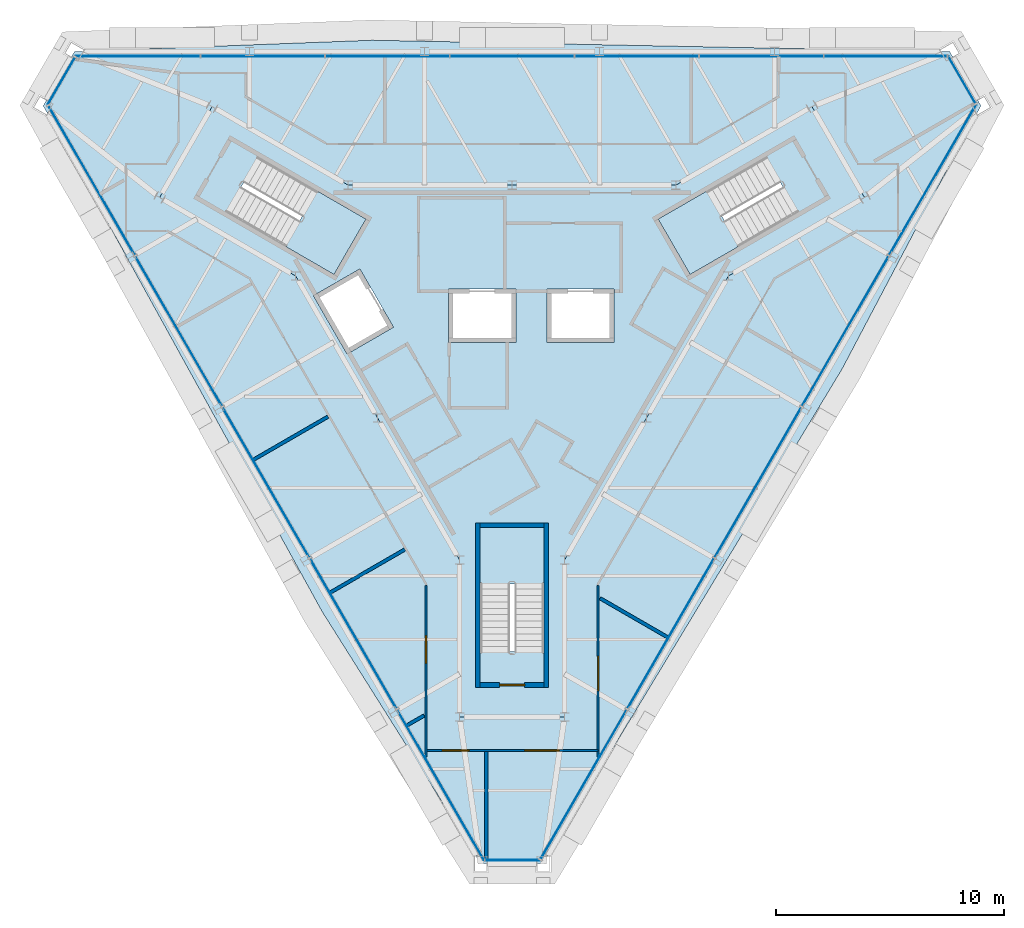
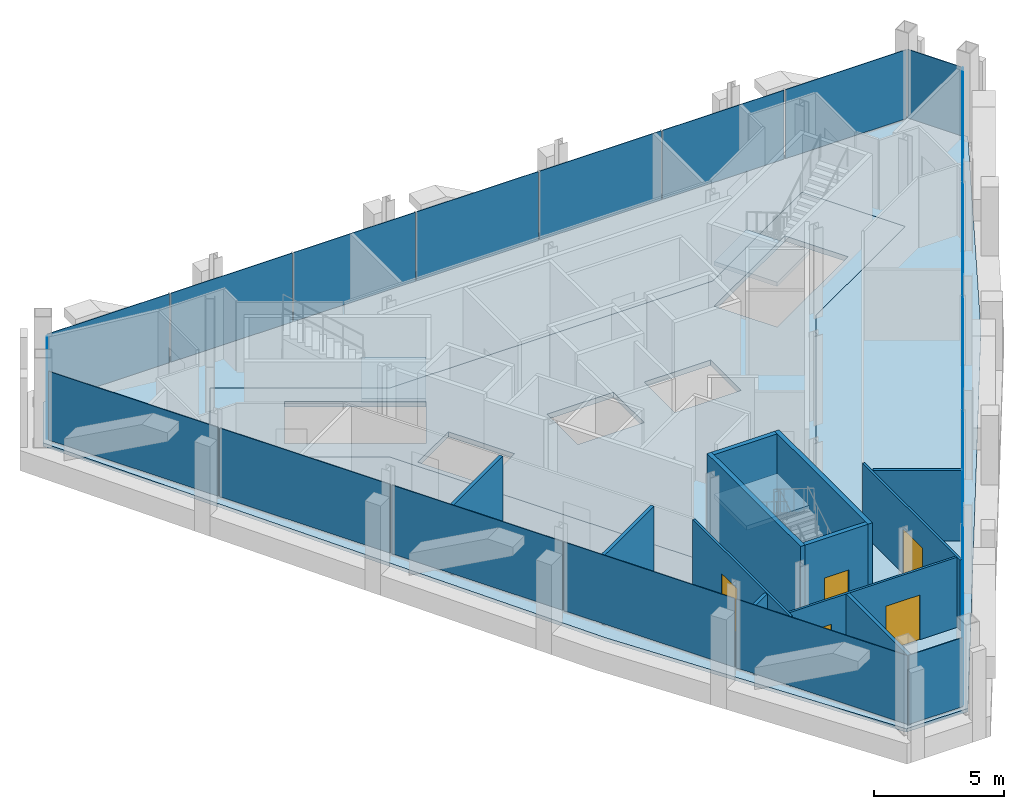
# One storey, part 8 of 13: 20 plates, 12 walls, 5 doors, 5 slabs, 5 openings, 9 elements without a shape of their own.
"""IFC4 building model written with IfcOpenShell, lengths in metres."""

from ifc_helpers import new_model, si_unit, direction, frame, frame_2d, origin, origin_2d, place, context, subcontext, project, spatial, polyline, rectangle, outline, extrude, material, layer, layer_set, type_object, element, fill, aggregate, save


model = new_model("IFC4")

# Units and contexts
model_context = context("Model", 3, precision=1e-05, world=origin(), true_north=direction((0.0, 1.0)))
body_context = subcontext(model_context, "Body", "Model", "MODEL_VIEW")
ifc_project = project(units=[si_unit("LENGTHUNIT", "METRE"), si_unit("AREAUNIT", "SQUARE_METRE"), si_unit("VOLUMEUNIT", "CUBIC_METRE"), si_unit("PLANEANGLEUNIT", "RADIAN"), si_unit("MASSUNIT", "GRAM", prefix="KILO")], contexts=[model_context])

# Site, building, storey
site_placement = place(None, origin())
site = spatial("IfcSite", under=ifc_project, at=site_placement, CompositionType="ELEMENT")
building_placement = place(site_placement, origin())
building = spatial("IfcBuilding", under=site, at=building_placement, Name="Verrane Prism Tower", CompositionType="ELEMENT")
storey_placement = place(building_placement, frame((0.0, 0.0, 325.199951171875)))
storey = spatial("IfcBuildingStorey", under=building, at=storey_placement, Name="L82", CompositionType="ELEMENT", Elevation=325.199951171875)

# Slabs
ifc_material_1 = material(Name="Concrete C35/45", Category="concrete")
ifc_layer_1 = layer(ifc_material_1, 0.159912109375)
ifc_layer_set_1 = layer_set([ifc_layer_1], Name="Composite floor slab")
slab_type_1 = type_object("IfcSlabType", Name="Composite floor slab", PredefinedType="FLOOR", material=ifc_layer_set_1)
slab_1_placement = place(storey_placement, frame((0.0, 0.0, -0.159912109375)))
element("IfcSlab", 1, at=slab_1_placement, inside=storey, type_object=slab_type_1, Name="Floor slab L82", PredefinedType="FLOOR", context=body_context, shape_type="SweptSolid", body=[
    extrude(outline(polyline([(14.455810546875, -1.26171875), (1.368896484375, -22.9287109375), (-1.368896484375, -22.9287109375), (-8.320556640625, -11.88818359375), (-20.54150390625, 10.27880859375), (-19.17236328125, 12.64990234375), (-6.13525390625, 13.14990234375), (19.17236328125, 12.64990234375), (20.54150390625, 10.27880859375), (14.455810546875, -1.26171875)]), holes=[polyline([(15.43994140625, 6.260009765625), (13.139892578125, 10.239990234375), (7.179931640625, 6.800048828125), (0.0, 6.800048828125), (-7.179931640625, 6.800048828125), (-13.139892578125, 10.239990234375), (-15.43994140625, 6.260009765625), (-9.47998046875, 2.820068359375), (-5.889892578125, -3.39990234375), (-2.300048828125, -9.6201171875), (-2.300048828125, -16.5), (2.300048828125, -16.5), (2.300048828125, -9.6201171875), (5.889892578125, -3.39990234375), (9.47998046875, 2.820068359375), (15.43994140625, 6.260009765625)])]), origin(), (0.0, 0.0, 1.0), 0.159912109375),
])
ifc_material_2 = material(Name="Concrete C40/50", Category="concrete")
ifc_layer_2 = layer(ifc_material_2, 0.25)
ifc_layer_set_2 = layer_set([ifc_layer_2], Name="Core floor slab 250 concrete C40/50")
slab_type_2 = type_object("IfcSlabType", Name="Core floor slab 250 concrete C40/50", PredefinedType="FLOOR", material=ifc_layer_set_2)
slab_2_placement = place(storey_placement, frame((0.0, 0.0, -0.25)))
element("IfcSlab", 2, at=slab_2_placement, inside=storey, type_object=slab_type_2, Name="Core floor L82", PredefinedType="FLOOR", context=body_context, shape_type="SweptSolid", body=[
    extrude(outline(polyline([(9.47998046875, 2.820068359375), (15.43994140625, 6.260009765625), (13.139892578125, 10.239990234375), (7.179931640625, 6.800048828125), (0.0, 6.800048828125), (-7.179931640625, 6.800048828125), (-13.139892578125, 10.239990234375), (-15.43994140625, 6.260009765625), (-9.47998046875, 2.820068359375), (-5.889892578125, -3.39990234375), (-2.300048828125, -9.6201171875), (-2.300048828125, -16.5), (2.300048828125, -16.5), (2.300048828125, -9.6201171875), (5.889892578125, -3.39990234375), (9.47998046875, 2.820068359375)]), holes=[polyline([(-1.39990234375, -13.639892578125), (-1.39990234375, -8.199951171875), (1.39990234375, -8.199951171875), (1.39990234375, -13.639892578125), (-1.39990234375, -13.639892578125)]), polyline([(0.1650390625, 2.25), (0.1650390625, -0.10009765625), (-2.784912109375, -0.10009765625), (-2.784912109375, 2.25), (0.1650390625, 2.25)]), polyline([(4.47509765625, 2.25), (4.47509765625, -0.10009765625), (1.52490234375, -0.10009765625), (1.52490234375, 2.25), (4.47509765625, 2.25)]), polyline([(-8.7041015625, 1.955078125), (-6.66796875, 3.1298828125), (-5.193115234375, 0.574951171875), (-7.22900390625, -0.60009765625), (-8.7041015625, 1.955078125)]), polyline([(-6.40087890625, 5.31201171875), (-7.801025390625, 2.887939453125), (-12.512939453125, 5.60791015625), (-11.113037109375, 8.031982421875), (-6.40087890625, 5.31201171875)]), polyline([(7.801025390625, 2.887939453125), (6.40087890625, 5.31201171875), (11.113037109375, 8.031982421875), (12.512939453125, 5.60791015625), (7.801025390625, 2.887939453125)])]), origin(), (0.0, 0.0, 1.0), 0.25),
])

# Curtain wall, plate
ifc_material_3 = material(Name="Aluminium framed insulated glazing", Category="aluminium")
curtain_wall_type_1 = type_object("IfcCurtainWallType", Name="Curtain wall CW-C 4200 module", PredefinedType="NOTDEFINED", material=ifc_material_3)
curtain_wall_1_placement = place(storey_placement, origin())
curtain_wall_1 = element("IfcCurtainWall", 3, at=curtain_wall_1_placement, inside=storey, type_object=curtain_wall_type_1, Name="Glazed curtain wall south corner L82", PredefinedType="NOTDEFINED")
ifc_material_4 = material(Name="Low-iron insulating glass unit", Category="glass")
ifc_layer_3 = layer(ifc_material_4, 0.02392578125)
ifc_layer_set_3 = layer_set([ifc_layer_3], Name="Glazing panel IGU 24")
plate_type_1 = type_object("IfcPlateType", Name="Glazing panel IGU 24", PredefinedType="CURTAIN_PANEL", material=ifc_layer_set_3)
plate_1_placement = place(storey_placement, frame((0.02490234375, -22.77685546875, 0.050048828125), z_axis=(0.0, 0.0, 1.0), x_axis=(1.0, 0.0, 0.0)))
plate_1 = element("IfcPlate", 4, at=plate_1_placement, type_object=plate_type_1, Name="CW82.5 panel 1", PredefinedType="CURTAIN_PANEL", context=body_context, shape_type="SweptSolid", body=[
    extrude(rectangle(XDim=2.395263671875, YDim=0.02392578125, at=origin_2d()), origin(), (0.0, 0.0, 1.0), 3.24658203125),
])
aggregate(curtain_wall_1, [plate_1])

# Curtain wall, plates
ifc_material_5 = material(Name="Aluminium framed insulated glazing", Category="aluminium")
curtain_wall_type_2 = type_object("IfcCurtainWallType", Name="Curtain wall CW-B 5600 module", PredefinedType="NOTDEFINED", material=ifc_material_5)
curtain_wall_2_placement = place(storey_placement, origin())
curtain_wall_2 = element("IfcCurtainWall", 5, at=curtain_wall_2_placement, inside=storey, type_object=curtain_wall_type_2, Name="Glazed curtain wall north face L82", PredefinedType="NOTDEFINED")
ifc_material_6 = material(Name="Low-iron insulating glass unit", Category="glass")
ifc_layer_4 = layer(ifc_material_6, 0.028076171875)
ifc_layer_set_4 = layer_set([ifc_layer_4], Name="Glazing panel IGU 28")
plate_type_2 = type_object("IfcPlateType", Name="Glazing panel IGU 28", PredefinedType="CURTAIN_PANEL", material=ifc_layer_set_4)
plate_2_placement = place(storey_placement, frame((16.368408203125, 12.447265625, 0.06005859375), z_axis=(0.0, 0.0, 1.0), x_axis=(-1.0, 0.0, 0.0)))
plate_2 = element("IfcPlate", 6, at=plate_2_placement, type_object=plate_type_2, Name="CW82.2 panel 1", PredefinedType="CURTAIN_PANEL", context=body_context, shape_type="SweptSolid", body=[
    extrude(rectangle(XDim=5.37109375, YDim=0.028076171875, at=origin_2d()), origin(), (0.0, 0.0, 1.0), 3.23681640625),
])
plate_3_placement = place(storey_placement, frame((10.92236328125, 12.447265625, 0.06005859375), z_axis=(0.0, 0.0, 1.0), x_axis=(-1.0, 0.0, 0.0)))
plate_3 = element("IfcPlate", 7, at=plate_3_placement, type_object=plate_type_2, Name="CW82.2 panel 2", PredefinedType="CURTAIN_PANEL", context=body_context, shape_type="SweptSolid", body=[
    extrude(rectangle(XDim=5.401123046875, YDim=0.028076171875, at=origin_2d()), origin(), (0.0, 0.0, 1.0), 3.23681640625),
])
plate_4_placement = place(storey_placement, frame((5.461181640625, 12.447265625, 0.06005859375), z_axis=(0.0, 0.0, 1.0), x_axis=(-1.0, 0.0, 0.0)))
plate_4 = element("IfcPlate", 8, at=plate_4_placement, type_object=plate_type_2, Name="CW82.2 panel 3", PredefinedType="CURTAIN_PANEL", context=body_context, shape_type="SweptSolid", body=[
    extrude(rectangle(XDim=5.401123046875, YDim=0.028076171875, at=origin_2d()), origin(), (0.0, 0.0, 1.0), 3.23681640625),
])
plate_5_placement = place(storey_placement, frame((0.0, 12.447265625, 0.06005859375), z_axis=(0.0, 0.0, 1.0), x_axis=(-1.0, 0.0, 0.0)))
plate_5 = element("IfcPlate", 9, at=plate_5_placement, type_object=plate_type_2, Name="CW82.2 panel 4", PredefinedType="CURTAIN_PANEL", context=body_context, shape_type="SweptSolid", body=[
    extrude(rectangle(XDim=5.401123046875, YDim=0.028076171875, at=origin_2d()), origin(), (0.0, 0.0, 1.0), 3.23681640625),
])
plate_6_placement = place(storey_placement, frame((-5.461181640625, 12.447265625, 0.06005859375), z_axis=(0.0, 0.0, 1.0), x_axis=(-1.0, 0.0, 0.0)))
plate_6 = element("IfcPlate", 10, at=plate_6_placement, type_object=plate_type_2, Name="CW82.2 panel 5", PredefinedType="CURTAIN_PANEL", context=body_context, shape_type="SweptSolid", body=[
    extrude(rectangle(XDim=5.401123046875, YDim=0.028076171875, at=origin_2d()), origin(), (0.0, 0.0, 1.0), 3.23681640625),
])
plate_7_placement = place(storey_placement, frame((-10.92236328125, 12.447265625, 0.06005859375), z_axis=(0.0, 0.0, 1.0), x_axis=(-1.0, 0.0, 0.0)))
plate_7 = element("IfcPlate", 11, at=plate_7_placement, type_object=plate_type_2, Name="CW82.2 panel 6", PredefinedType="CURTAIN_PANEL", context=body_context, shape_type="SweptSolid", body=[
    extrude(rectangle(XDim=5.401123046875, YDim=0.028076171875, at=origin_2d()), origin(), (0.0, 0.0, 1.0), 3.23681640625),
])
plate_8_placement = place(storey_placement, frame((-16.3984375, 12.447265625, 0.06005859375), z_axis=(0.0, 0.0, 1.0), x_axis=(-1.0, 0.0, 0.0)))
plate_8 = element("IfcPlate", 12, at=plate_8_placement, type_object=plate_type_2, Name="CW82.2 panel 7", PredefinedType="CURTAIN_PANEL", context=body_context, shape_type="SweptSolid", body=[
    extrude(rectangle(XDim=5.43115234375, YDim=0.028076171875, at=origin_2d()), origin(), (0.0, 0.0, 1.0), 3.23681640625),
])
aggregate(curtain_wall_2, [plate_2, plate_3, plate_4, plate_5, plate_6, plate_7, plate_8])

# Curtain wall, plate
ifc_material_7 = material(Name="Aluminium framed insulated glazing", Category="aluminium")
curtain_wall_type_3 = type_object("IfcCurtainWallType", Name="Curtain wall CW-A 8400 module", PredefinedType="NOTDEFINED", material=ifc_material_7)
curtain_wall_3_placement = place(storey_placement, origin())
curtain_wall_3 = element("IfcCurtainWall", 13, at=curtain_wall_3_placement, inside=storey, type_object=curtain_wall_type_3, Name="Glazed curtain wall north-east corner L82", PredefinedType="NOTDEFINED")
ifc_material_8 = material(Name="Low-iron insulating glass unit", Category="glass")
ifc_layer_5 = layer(ifc_material_8, 0.031982421875)
ifc_layer_set_5 = layer_set([ifc_layer_5], Name="Glazing panel IGU 32")
plate_type_3 = type_object("IfcPlateType", Name="Glazing panel IGU 32", PredefinedType="CURTAIN_PANEL", material=ifc_layer_set_5)
plate_9_placement = place(storey_placement, frame((19.707763671875, 11.418701171875, 0.06982421875), z_axis=(0.0, 0.0, 1.0), x_axis=(-0.500000941634, 0.866024860131, 0.0)))
plate_9 = element("IfcPlate", 14, at=plate_9_placement, type_object=plate_type_3, Name="CW82.1 panel 1", PredefinedType="CURTAIN_PANEL", context=body_context, shape_type="SweptSolid", body=[
    extrude(rectangle(XDim=2.375244140625, YDim=0.031982421875, at=origin_2d()), origin(), (0.0, 0.0, 1.0), 3.226806640625),
])
aggregate(curtain_wall_3, [plate_9])

curtain_wall_4_placement = place(storey_placement, origin())
curtain_wall_4 = element("IfcCurtainWall", 15, at=curtain_wall_4_placement, inside=storey, type_object=curtain_wall_type_3, Name="Glazed curtain wall north-west corner L82", PredefinedType="NOTDEFINED")
plate_10_placement = place(storey_placement, frame((-19.742919921875, 11.358154296875, 0.06982421875), z_axis=(0.0, 0.0, 1.0), x_axis=(-0.500000941634, -0.866024860131, 0.0)))
plate_10 = element("IfcPlate", 16, at=plate_10_placement, type_object=plate_type_3, Name="CW82.3 panel 1", PredefinedType="CURTAIN_PANEL", context=body_context, shape_type="SweptSolid", body=[
    extrude(rectangle(XDim=2.375244140625, YDim=0.031982421875, at=origin_2d()), origin(), (0.0, 0.0, 1.0), 3.226806640625),
])
aggregate(curtain_wall_4, [plate_10])

# Curtain wall, plates
curtain_wall_5_placement = place(storey_placement, origin())
curtain_wall_5 = element("IfcCurtainWall", 17, at=curtain_wall_5_placement, inside=storey, type_object=curtain_wall_type_3, Name="Glazed curtain wall south-west face L82", PredefinedType="NOTDEFINED")
plate_11_placement = place(storey_placement, frame((-18.41650390625, 7.00390625, 0.06982421875), z_axis=(0.0, 0.0, 1.0), x_axis=(0.500000216749, -0.866025278644, 0.0)))
plate_11 = element("IfcPlate", 18, at=plate_11_placement, type_object=plate_type_3, Name="CW82.4 panel 1", PredefinedType="CURTAIN_PANEL", context=body_context, shape_type="SweptSolid", body=[
    extrude(rectangle(XDim=7.54052734375, YDim=0.031982421875, at=origin_2d()), origin(), (0.0, 0.0, 1.0), 3.226806640625),
])
plate_12_placement = place(storey_placement, frame((-14.602294921875, 0.397705078125, 0.06982421875), z_axis=(0.0, 0.0, 1.0), x_axis=(0.500000216749, -0.866025278644, 0.0)))
plate_12 = element("IfcPlate", 19, at=plate_12_placement, type_object=plate_type_3, Name="CW82.4 panel 2", PredefinedType="CURTAIN_PANEL", context=body_context, shape_type="SweptSolid", body=[
    extrude(rectangle(XDim=7.57568359375, YDim=0.031982421875, at=origin_2d()), origin(), (0.0, 0.0, 1.0), 3.226806640625),
])
plate_13_placement = place(storey_placement, frame((-10.779541015625, -6.2236328125, 0.06982421875), z_axis=(0.0, 0.0, 1.0), x_axis=(0.500000216749, -0.866025278644, 0.0)))
plate_13 = element("IfcPlate", 20, at=plate_13_placement, type_object=plate_type_3, Name="CW82.4 panel 3", PredefinedType="CURTAIN_PANEL", context=body_context, shape_type="SweptSolid", body=[
    extrude(rectangle(XDim=7.57568359375, YDim=0.031982421875, at=origin_2d()), origin(), (0.0, 0.0, 1.0), 3.226806640625),
])
plate_14_placement = place(storey_placement, frame((-6.956787109375, -12.844970703125, 0.06982421875), z_axis=(0.0, 0.0, 1.0), x_axis=(0.500000216749, -0.866025278644, 0.0)))
plate_14 = element("IfcPlate", 21, at=plate_14_placement, type_object=plate_type_3, Name="CW82.4 panel 4", PredefinedType="CURTAIN_PANEL", context=body_context, shape_type="SweptSolid", body=[
    extrude(rectangle(XDim=7.57568359375, YDim=0.031982421875, at=origin_2d()), origin(), (0.0, 0.0, 1.0), 3.226806640625),
])
plate_15_placement = place(storey_placement, frame((-3.125244140625, -19.481201171875, 0.06982421875), z_axis=(0.0, 0.0, 1.0), x_axis=(0.500000216749, -0.866025278644, 0.0)))
plate_15 = element("IfcPlate", 22, at=plate_15_placement, type_object=plate_type_3, Name="CW82.4 panel 5", PredefinedType="CURTAIN_PANEL", context=body_context, shape_type="SweptSolid", body=[
    extrude(rectangle(XDim=7.610595703125, YDim=0.031982421875, at=origin_2d()), origin(), (0.0, 0.0, 1.0), 3.226806640625),
])
aggregate(curtain_wall_5, [plate_11, plate_12, plate_13, plate_14, plate_15])

curtain_wall_6_placement = place(storey_placement, origin())
curtain_wall_6 = element("IfcCurtainWall", 23, at=curtain_wall_6_placement, inside=storey, type_object=curtain_wall_type_3, Name="Glazed curtain wall south-east face L82", PredefinedType="NOTDEFINED")
plate_16_placement = place(storey_placement, frame((3.142822265625, -19.450927734375, 0.06982421875), z_axis=(0.0, 0.0, 1.0), x_axis=(0.500000216749, 0.866025278644, 0.0)))
plate_16 = element("IfcPlate", 24, at=plate_16_placement, type_object=plate_type_3, Name="CW82.6 panel 1", PredefinedType="CURTAIN_PANEL", context=body_context, shape_type="SweptSolid", body=[
    extrude(rectangle(XDim=7.54052734375, YDim=0.031982421875, at=origin_2d()), origin(), (0.0, 0.0, 1.0), 3.226806640625),
])
plate_17_placement = place(storey_placement, frame((6.956787109375, -12.844970703125, 0.06982421875), z_axis=(0.0, 0.0, 1.0), x_axis=(0.500000216749, 0.866025278644, 0.0)))
plate_17 = element("IfcPlate", 25, at=plate_17_placement, type_object=plate_type_3, Name="CW82.6 panel 2", PredefinedType="CURTAIN_PANEL", context=body_context, shape_type="SweptSolid", body=[
    extrude(rectangle(XDim=7.57568359375, YDim=0.031982421875, at=origin_2d()), origin(), (0.0, 0.0, 1.0), 3.226806640625),
])
plate_18_placement = place(storey_placement, frame((10.779541015625, -6.2236328125, 0.06982421875), z_axis=(0.0, 0.0, 1.0), x_axis=(0.500000216749, 0.866025278644, 0.0)))
plate_18 = element("IfcPlate", 26, at=plate_18_placement, type_object=plate_type_3, Name="CW82.6 panel 3", PredefinedType="CURTAIN_PANEL", context=body_context, shape_type="SweptSolid", body=[
    extrude(rectangle(XDim=7.57568359375, YDim=0.031982421875, at=origin_2d()), origin(), (0.0, 0.0, 1.0), 3.226806640625),
])
plate_19_placement = place(storey_placement, frame((14.602294921875, 0.397705078125, 0.06982421875), z_axis=(0.0, 0.0, 1.0), x_axis=(0.500000216749, 0.866025278644, 0.0)))
plate_19 = element("IfcPlate", 27, at=plate_19_placement, type_object=plate_type_3, Name="CW82.6 panel 4", PredefinedType="CURTAIN_PANEL", context=body_context, shape_type="SweptSolid", body=[
    extrude(rectangle(XDim=7.57568359375, YDim=0.031982421875, at=origin_2d()), origin(), (0.0, 0.0, 1.0), 3.226806640625),
])
plate_20_placement = place(storey_placement, frame((18.433837890625, 7.0341796875, 0.06982421875), z_axis=(0.0, 0.0, 1.0), x_axis=(0.500000216749, 0.866025278644, 0.0)))
plate_20 = element("IfcPlate", 28, at=plate_20_placement, type_object=plate_type_3, Name="CW82.6 panel 5", PredefinedType="CURTAIN_PANEL", context=body_context, shape_type="SweptSolid", body=[
    extrude(rectangle(XDim=7.610595703125, YDim=0.031982421875, at=origin_2d()), origin(), (0.0, 0.0, 1.0), 3.226806640625),
])
aggregate(curtain_wall_6, [plate_16, plate_17, plate_18, plate_19, plate_20])

# Stair, slab
ifc_material_9 = material(Name="Concrete C40/50", Category="concrete")
stair_type = type_object("IfcStairType", Name="Exit stair 1300 dog-leg precast concrete C40/50", PredefinedType="HALF_TURN_STAIR", material=ifc_material_9)
stair_1_placement = place(storey_placement, origin())
stair_1 = element("IfcStair", 29, at=stair_1_placement, inside=storey, type_object=stair_type, Name="Stair 1 L82", PredefinedType="HALF_TURN_STAIR")
ifc_material_10 = material(Name="Concrete C40/50", Category="concrete")
ifc_layer_6 = layer(ifc_material_10, 0.199951171875)
ifc_layer_set_6 = layer_set([ifc_layer_6], Name="Stair landing 200 precast concrete C40/50")
slab_type_3 = type_object("IfcSlabType", Name="Stair landing 200 precast concrete C40/50", PredefinedType="LANDING", material=ifc_layer_set_6)
slab_3_placement = place(storey_placement, frame((0.0, 0.0, 1.900146484375)))
slab_3 = element("IfcSlab", 30, at=slab_3_placement, type_object=slab_type_3, Name="Stair 1 landing 1", PredefinedType="LANDING", context=body_context, shape_type="SweptSolid", body=[
    extrude(outline(polyline([(8.549072265625, 6.552490234375), (6.4013671875, 5.3125), (7.801513671875, 2.887451171875), (9.94921875, 4.127685546875), (8.549072265625, 6.552490234375)])), origin(), (0.0, 0.0, 1.0), 0.199951171875),
])
aggregate(stair_1, [slab_3])

stair_2_placement = place(storey_placement, origin())
stair_2 = element("IfcStair", 31, at=stair_2_placement, inside=storey, type_object=stair_type, Name="Stair 2 L82", PredefinedType="HALF_TURN_STAIR")
slab_4_placement = place(storey_placement, frame((0.0, 0.0, 1.900146484375)))
slab_4 = element("IfcSlab", 32, at=slab_4_placement, type_object=slab_type_3, Name="Stair 2 landing 1", PredefinedType="LANDING", context=body_context, shape_type="SweptSolid", body=[
    extrude(outline(polyline([(-9.94921875, 4.127685546875), (-7.801513671875, 2.887451171875), (-6.4013671875, 5.3125), (-8.549072265625, 6.552490234375), (-9.94921875, 4.127685546875)])), origin(), (0.0, 0.0, 1.0), 0.199951171875),
])
aggregate(stair_2, [slab_4])

stair_3_placement = place(storey_placement, origin())
stair_3 = element("IfcStair", 33, at=stair_3_placement, inside=storey, type_object=stair_type, Name="Stair 3 L82", PredefinedType="HALF_TURN_STAIR")
slab_5_placement = place(storey_placement, frame((0.0, 0.0, 1.900146484375)))
slab_5 = element("IfcSlab", 34, at=slab_5_placement, type_object=slab_type_3, Name="Stair 3 landing 1", PredefinedType="LANDING", context=body_context, shape_type="SweptSolid", body=[
    extrude(outline(polyline([(1.39990234375, -10.679931640625), (1.39990234375, -8.199951171875), (-1.39990234375, -8.199951171875), (-1.39990234375, -10.679931640625), (1.39990234375, -10.679931640625)])), origin(), (0.0, 0.0, 1.0), 0.199951171875),
])
aggregate(stair_3, [slab_5])

# Wall, opening, door
ifc_material_11 = material(Name="Concrete C40/50", Category="concrete")
ifc_layer_7 = layer(ifc_material_11, 0.199951171875)
ifc_layer_set_7 = layer_set([ifc_layer_7], Name="CW-200 stair core wall concrete C40/50 3 h")
wall_type_1 = type_object("IfcWallType", Name="CW-200 stair core wall concrete C40/50 3 h", PredefinedType="PARTITIONING", material=ifc_layer_set_7)
wall_1_placement = place(storey_placement, frame((-1.39990234375, -15.10009765625, 0.0), z_axis=(0.0, 0.0, 1.0), x_axis=(1.0, 0.0, 0.0)))
wall_1 = element("IfcWall", 35, at=wall_1_placement, inside=storey, type_object=wall_type_1, Name="Stair 3 enclosure wall", PredefinedType="PARTITIONING", context=body_context, shape_type="SweptSolid", body=[
    extrude(rectangle(XDim=2.7998046875, YDim=0.199951171875, at=frame_2d((1.39990234375, 0.0))), origin(), (0.0, 0.0, 1.0), 3.949951171875),
])
opening_1_placement = place(wall_1_placement, frame((0.85009765625, 0.0, 0.0)))
opening_1 = element("IfcOpeningElement", 36, at=opening_1_placement, cuts=wall_1, Name="Opening D82502", PredefinedType="OPENING", context=body_context, shape_type="SweptSolid", body=[
    extrude(rectangle(XDim=1.10009765625, YDim=2.10009765625, at=frame_2d((0.550048828125, 1.050048828125))), frame((0.0, 0.10986328125, 0.0), z_axis=(0.0, -1.0, 0.0), x_axis=(1.0, 0.0, 0.0)), (0.0, 0.0, 1.0), 0.219970703125),
])
ifc_material_12 = material(Name="Timber veneered door leaf", Category="wood")
door_type_1 = type_object("IfcDoorType", Name="DR-1100x2100 FD90 single leaf stair", OperationType="NOTDEFINED", PredefinedType="DOOR", material=ifc_material_12)
door_1_placement = place(opening_1_placement, origin())
door_1 = element("IfcDoor", 37, at=door_1_placement, inside=storey, type_object=door_type_1, Name="Stair 3 door", OperationType="SINGLE_SWING_LEFT", OverallHeight=2.10009765625, OverallWidth=1.10009765625, PredefinedType="DOOR", context=body_context, shape_type="SweptSolid", body=[
    extrude(rectangle(XDim=1.10009765625, YDim=2.10009765625, at=frame_2d((0.550048828125, 1.050048828125))), frame((0.0, 0.02490234375, 0.0), z_axis=(0.0, -1.0, 0.0), x_axis=(1.0, 0.0, 0.0)), (0.0, 0.0, 1.0), 0.050048828125),
])
fill(opening_1, door_1)

# Walls
for number, where, z_axis, x_axis, name in (
    (38, (1.5, -8.0, 0.0), (0.0, 0.0, 1.0), (0.0, -1.0, 0.0), "Stair 3 enclosure wall"),
    (39, (-1.5, -8.0, 0.0), (0.0, 0.0, 1.0), (0.0, -1.0, 0.0), "Stair 3 enclosure wall"),
):
    element("IfcWall", number, at=place(storey_placement, frame(where, z_axis=z_axis, x_axis=x_axis)), inside=storey, type_object=wall_type_1, Name=name, PredefinedType="PARTITIONING", context=body_context, shape_type="SweptSolid", body=[
        extrude(rectangle(XDim=7.199951171875, YDim=0.199951171875, at=frame_2d((3.60009765625, 0.0))), origin(), (0.0, 0.0, 1.0), 3.949951171875),
    ])
wall_2_placement = place(storey_placement, frame((-1.39990234375, -8.10009765625, 0.0), z_axis=(0.0, 0.0, 1.0), x_axis=(1.0, 0.0, 0.0)))
element("IfcWall", 40, at=wall_2_placement, inside=storey, type_object=wall_type_1, Name="Stair 3 enclosure wall", PredefinedType="PARTITIONING", context=body_context, shape_type="SweptSolid", body=[
    extrude(rectangle(XDim=2.7998046875, YDim=0.199951171875, at=frame_2d((1.39990234375, 0.0))), origin(), (0.0, 0.0, 1.0), 3.949951171875),
])

# Wall, opening, door
ifc_material_13 = material(Name="Gypsum board partition", Category="other")
ifc_layer_8 = layer(ifc_material_13, 0.10009765625)
ifc_layer_set_8 = layer_set([ifc_layer_8], Name="PW-100 crown corridor wall 1 h")
wall_type_2 = type_object("IfcWallType", Name="PW-100 crown corridor wall 1 h", PredefinedType="PARTITIONING", material=ifc_layer_set_8)
wall_3_placement = place(storey_placement, frame((-3.76904296875, -18.25341796875, 0.0), z_axis=(0.0, 0.0, 1.0), x_axis=(0.0, 1.0, 0.0)))
wall_3 = element("IfcWall", 41, at=wall_3_placement, inside=storey, type_object=wall_type_2, Name="Corridor wall 019", PredefinedType="PARTITIONING", context=body_context, shape_type="SweptSolid", body=[
    extrude(rectangle(XDim=7.512451171875, YDim=0.10009765625, at=frame_2d((3.75634765625, 0.0))), origin(), (0.0, 0.0, 1.0), 3.297119140625),
])
opening_2_placement = place(wall_3_placement, frame((4.116455078125, 0.0, 0.0)))
opening_2 = element("IfcOpeningElement", 42, at=opening_2_placement, cuts=wall_3, Name="Opening D82008", PredefinedType="OPENING", context=body_context, shape_type="SweptSolid", body=[
    extrude(rectangle(XDim=1.199951171875, YDim=2.10009765625, at=frame_2d((0.60009765625, 1.050048828125))), frame((0.0, 0.06005859375, 0.0), z_axis=(0.0, -1.0, 0.0), x_axis=(1.0, 0.0, 0.0)), (0.0, 0.0, 1.0), 0.1201171875),
])
ifc_material_14 = material(Name="Timber veneered door leaf", Category="wood")
door_type_2 = type_object("IfcDoorType", Name="DR-1200x2100 FD60 single leaf unit", OperationType="NOTDEFINED", PredefinedType="DOOR", material=ifc_material_14)
door_2_placement = place(opening_2_placement, origin())
door_2 = element("IfcDoor", 43, at=door_2_placement, inside=storey, type_object=door_type_2, Name="Building Maintenance Unit Room door", OperationType="SINGLE_SWING_RIGHT", OverallHeight=2.10009765625, OverallWidth=1.199951171875, PredefinedType="DOOR", context=body_context, shape_type="SweptSolid", body=[
    extrude(rectangle(XDim=1.199951171875, YDim=2.10009765625, at=frame_2d((0.60009765625, 1.050048828125))), frame((0.0, 0.02490234375, 0.0), z_axis=(0.0, -1.0, 0.0), x_axis=(1.0, 0.0, 0.0)), (0.0, 0.0, 1.0), 0.050048828125),
])
fill(opening_2, door_2)

# Wall, openings, doors
wall_4_placement = place(storey_placement, frame((3.76904296875, -17.968994140625, 0.0), z_axis=(0.0, 0.0, 1.0), x_axis=(-1.0, 0.0, 0.0)))
wall_4 = element("IfcWall", 44, at=wall_4_placement, inside=storey, type_object=wall_type_2, Name="Corridor wall 020", PredefinedType="PARTITIONING", context=body_context, shape_type="SweptSolid", body=[
    extrude(rectangle(XDim=7.588134765625, YDim=0.10009765625, at=frame_2d((3.7939453125, 0.0))), origin(), (0.0, 0.0, 1.0), 3.297119140625),
])
opening_3_placement = place(wall_4_placement, frame((5.637939453125, 0.0, 0.0)))
opening_3 = element("IfcOpeningElement", 45, at=opening_3_placement, cuts=wall_4, Name="Opening D82009", PredefinedType="OPENING", context=body_context, shape_type="SweptSolid", body=[
    extrude(rectangle(XDim=1.199951171875, YDim=2.10009765625, at=frame_2d((0.60009765625, 1.050048828125))), frame((0.0, 0.06005859375, 0.0), z_axis=(0.0, -1.0, 0.0), x_axis=(1.0, 0.0, 0.0)), (0.0, 0.0, 1.0), 0.1201171875),
])
opening_4_placement = place(wall_4_placement, frame((1.705078125, 0.0, 0.0)))
opening_4 = element("IfcOpeningElement", 46, at=opening_4_placement, cuts=wall_4, Name="Opening D82010", PredefinedType="OPENING", context=body_context, shape_type="SweptSolid", body=[
    extrude(rectangle(XDim=1.5, YDim=2.10009765625, at=frame_2d((0.75, 1.050048828125))), frame((0.0, 0.06005859375, 0.0), z_axis=(0.0, -1.0, 0.0), x_axis=(1.0, 0.0, 0.0)), (0.0, 0.0, 1.0), 0.1201171875),
])
door_3_placement = place(opening_3_placement, origin())
door_3 = element("IfcDoor", 47, at=door_3_placement, inside=storey, type_object=door_type_2, Name="Building Maintenance Unit Room door", OperationType="SINGLE_SWING_RIGHT", OverallHeight=2.10009765625, OverallWidth=1.199951171875, PredefinedType="DOOR", context=body_context, shape_type="SweptSolid", body=[
    extrude(rectangle(XDim=1.199951171875, YDim=2.10009765625, at=frame_2d((0.60009765625, 1.050048828125))), frame((0.0, 0.02490234375, 0.0), z_axis=(0.0, -1.0, 0.0), x_axis=(1.0, 0.0, 0.0)), (0.0, 0.0, 1.0), 0.050048828125),
])
fill(opening_3, door_3)
ifc_material_15 = material(Name="Timber veneered door leaf", Category="wood")
door_type_3 = type_object("IfcDoorType", Name="DR-1500x2100 FD60 double leaf unit", OperationType="NOTDEFINED", PredefinedType="DOOR", material=ifc_material_15)
door_4_placement = place(opening_4_placement, origin())
door_4 = element("IfcDoor", 48, at=door_4_placement, inside=storey, type_object=door_type_3, Name="Mechanical Plant Room door", OperationType="DOUBLE_DOOR_SINGLE_SWING", OverallHeight=2.10009765625, OverallWidth=1.5, PredefinedType="DOOR", context=body_context, shape_type="SweptSolid", body=[
    extrude(rectangle(XDim=1.5, YDim=2.10009765625, at=frame_2d((0.75, 1.050048828125))), frame((0.0, 0.02490234375, 0.0), z_axis=(0.0, -1.0, 0.0), x_axis=(1.0, 0.0, 0.0)), (0.0, 0.0, 1.0), 0.050048828125),
])
fill(opening_4, door_4)

# Wall, opening, door
wall_5_placement = place(storey_placement, frame((3.76904296875, -10.740966796875, 0.0), z_axis=(0.0, 0.0, 1.0), x_axis=(0.0, -1.0, 0.0)))
wall_5 = element("IfcWall", 49, at=wall_5_placement, inside=storey, type_object=wall_type_2, Name="Corridor wall 022", PredefinedType="PARTITIONING", context=body_context, shape_type="SweptSolid", body=[
    extrude(rectangle(XDim=7.512451171875, YDim=0.10009765625, at=frame_2d((3.75634765625, 0.0))), origin(), (0.0, 0.0, 1.0), 3.297119140625),
])
opening_5_placement = place(wall_5_placement, frame((3.10791015625, 0.0, 0.0)))
opening_5 = element("IfcOpeningElement", 50, at=opening_5_placement, cuts=wall_5, Name="Opening D82014", PredefinedType="OPENING", context=body_context, shape_type="SweptSolid", body=[
    extrude(rectangle(XDim=1.5, YDim=2.10009765625, at=frame_2d((0.75, 1.050048828125))), frame((0.0, 0.06005859375, 0.0), z_axis=(0.0, -1.0, 0.0), x_axis=(1.0, 0.0, 0.0)), (0.0, 0.0, 1.0), 0.1201171875),
])
door_5_placement = place(opening_5_placement, origin())
door_5 = element("IfcDoor", 51, at=door_5_placement, inside=storey, type_object=door_type_3, Name="Mechanical Plant Room door", OperationType="DOUBLE_DOOR_SINGLE_SWING", OverallHeight=2.10009765625, OverallWidth=1.5, PredefinedType="DOOR", context=body_context, shape_type="SweptSolid", body=[
    extrude(rectangle(XDim=1.5, YDim=2.10009765625, at=frame_2d((0.75, 1.050048828125))), frame((0.0, 0.02490234375, 0.0), z_axis=(0.0, -1.0, 0.0), x_axis=(1.0, 0.0, 0.0)), (0.0, 0.0, 1.0), 0.050048828125),
])
fill(opening_5, door_5)

# Walls
ifc_material_16 = material(Name="Gypsum board partition", Category="other")
ifc_layer_9 = layer(ifc_material_16, 0.14990234375)
ifc_layer_set_9 = layer_set([ifc_layer_9], Name="PW-150 demising wall 1 h")
wall_type_3 = type_object("IfcWallType", Name="PW-150 demising wall 1 h", PredefinedType="PARTITIONING", material=ifc_layer_set_9)
wall_6_placement = place(storey_placement, frame((-11.3349609375, -5.233154296875, 0.0), z_axis=(0.0, 0.0, 1.0), x_axis=(0.865922223361, 0.500178671167, 0.0)))
element("IfcWall", 52, at=wall_6_placement, inside=storey, type_object=wall_type_3, Name="Demising wall 014", PredefinedType="PARTITIONING", context=body_context, shape_type="SweptSolid", body=[
    extrude(rectangle(XDim=3.78271484375, YDim=0.14990234375, at=frame_2d((1.891357421875, 0.0))), origin(), (0.0, 0.0, 1.0), 3.297119140625),
])
wall_7_placement = place(storey_placement, frame((-7.974609375, -11.053955078125, 0.0), z_axis=(0.0, 0.0, 1.0), x_axis=(0.865998594852, 0.500046431558, 0.0)))
element("IfcWall", 53, at=wall_7_placement, inside=storey, type_object=wall_type_3, Name="Demising wall 016", PredefinedType="PARTITIONING", context=body_context, shape_type="SweptSolid", body=[
    extrude(rectangle(XDim=3.783447265625, YDim=0.14990234375, at=frame_2d((1.8916015625, 0.0))), origin(), (0.0, 0.0, 1.0), 3.297119140625),
])
wall_8_placement = place(storey_placement, frame((-4.6142578125, -16.874267578125, 0.0), z_axis=(0.0, 0.0, 1.0), x_axis=(0.866399263961, 0.499351895369, 0.0)))
element("IfcWall", 54, at=wall_8_placement, inside=storey, type_object=wall_type_3, Name="Demising wall 018", PredefinedType="PARTITIONING", context=body_context, shape_type="SweptSolid", body=[
    extrude(rectangle(XDim=0.874755859375, YDim=0.14990234375, at=frame_2d((0.4375, 0.0))), origin(), (0.0, 0.0, 1.0), 3.297119140625),
])
wall_9_placement = place(storey_placement, frame((-1.135986328125, -22.763916015625, 0.0), z_axis=(0.0, 0.0, 1.0), x_axis=(0.0, 1.0, 0.0)))
element("IfcWall", 55, at=wall_9_placement, inside=storey, type_object=wall_type_3, Name="Demising wall 021", PredefinedType="PARTITIONING", context=body_context, shape_type="SweptSolid", body=[
    extrude(rectangle(XDim=4.744873046875, YDim=0.14990234375, at=frame_2d((2.37255859375, 0.0))), origin(), (0.0, 0.0, 1.0), 3.297119140625),
])
wall_10_placement = place(storey_placement, frame((3.8564453125, -11.299560546875, 0.0), z_axis=(0.0, 0.0, 1.0), x_axis=(0.866084061191, -0.499898388626, 0.0)))
element("IfcWall", 56, at=wall_10_placement, inside=storey, type_object=wall_type_3, Name="Demising wall 023", PredefinedType="PARTITIONING", context=body_context, shape_type="SweptSolid", body=[
    extrude(rectangle(XDim=3.443603515625, YDim=0.14990234375, at=frame_2d((1.7216796875, 0.0))), origin(), (0.0, 0.0, 1.0), 3.297119140625),
])

save(model, "model.ifc")
